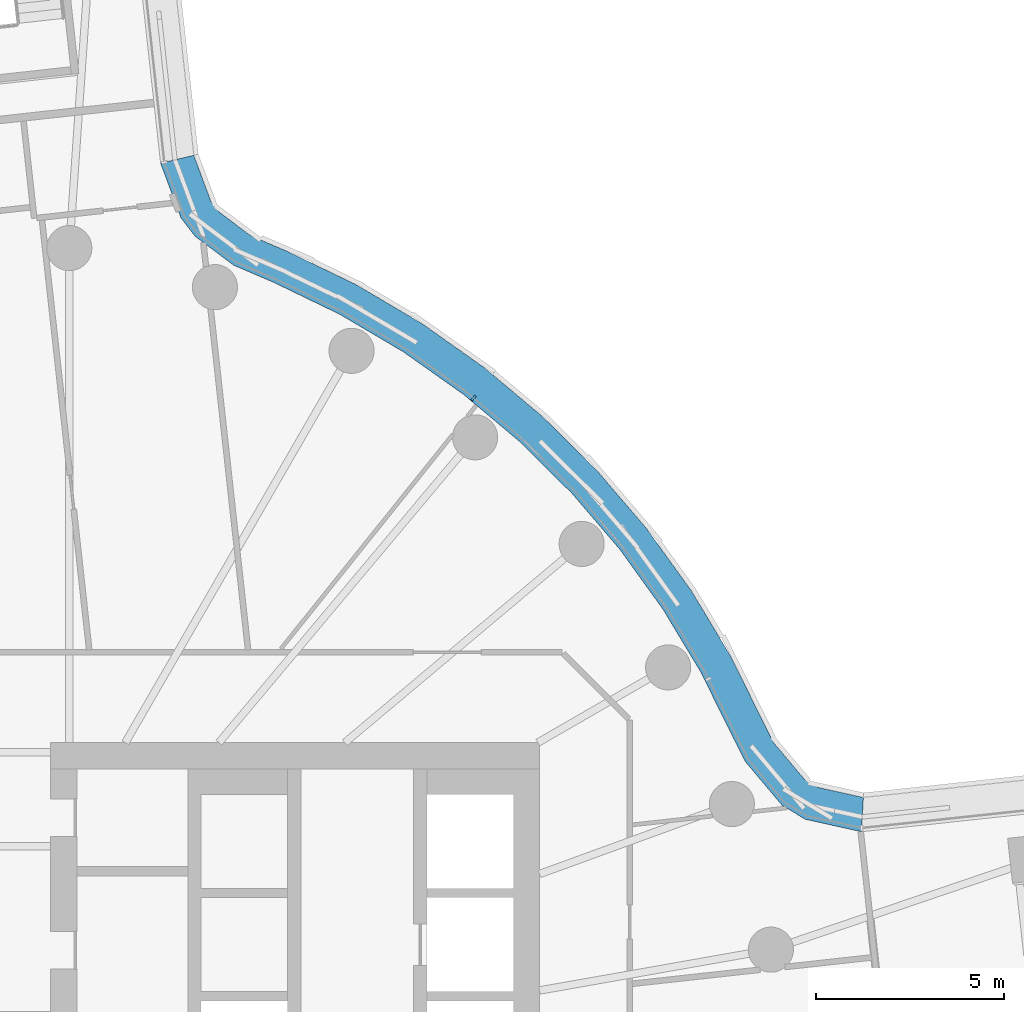
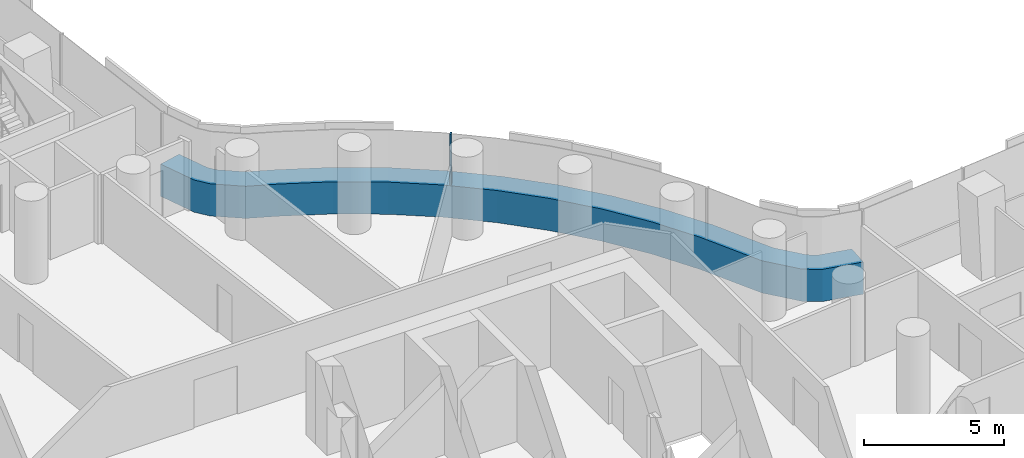
# One storey, part 16 of 31: 2 members, 1 element without a shape of its own.
"""IFC4 building model written with IfcOpenShell, lengths in metres."""

from ifc_helpers import new_model, si_unit, direction, frame, origin, origin_2d, place, context, subcontext, project, spatial, polyline, rectangle, outline, extrude, material, layer, layer_set, material_profile, profile_set, type_object, element, aggregate, save


model = new_model("IFC4")

# Units and contexts
model_context = context("Model", 3, precision=1e-05, world=origin(), true_north=direction((0.0, 1.0)))
body_context = subcontext(model_context, "Body", "Model", "MODEL_VIEW")
ifc_project = project(units=[si_unit("LENGTHUNIT", "METRE"), si_unit("AREAUNIT", "SQUARE_METRE"), si_unit("VOLUMEUNIT", "CUBIC_METRE"), si_unit("PLANEANGLEUNIT", "RADIAN"), si_unit("MASSUNIT", "GRAM", prefix="KILO")], contexts=[model_context])

# Site, building, storey
site_placement = place(None, origin())
site = spatial("IfcSite", under=ifc_project, at=site_placement, CompositionType="ELEMENT")
building_placement = place(site_placement, origin())
building = spatial("IfcBuilding", under=site, at=building_placement, Name="Tamarind Cross Interchange Tower", CompositionType="ELEMENT")
storey_placement = place(building_placement, frame((0.0, 0.0, 56.5)))
storey = spatial("IfcBuildingStorey", under=building, at=storey_placement, Name="L12", CompositionType="ELEMENT", Elevation=56.5)

# Curtain wall, members
ifc_material_1 = material(Name="Aluminium 6063-T6", Category="aluminium")
ifc_layer = layer(ifc_material_1, 0.159912109375)
ifc_layer_set = layer_set([ifc_layer], Name="Aluminium 6063-T6")
curtain_wall_type = type_object("IfcCurtainWallType", Name="Office curtain wall, 9.0 m bays", PredefinedType="NOTDEFINED", material=ifc_layer_set)
curtain_wall_placement = place(storey_placement, origin())
curtain_wall = element("IfcCurtainWall", 1, at=curtain_wall_placement, inside=storey, type_object=curtain_wall_type, Name="CWS-L12-02", PredefinedType="NOTDEFINED")
ifc_material_2 = material(Name="Aluminium and insulated spandrel panel", Category="aluminium")
member_type_1 = type_object("IfcMemberType", Name="Floor-edge blade transom", PredefinedType="USERDEFINED", material=ifc_material_2)
member_1_placement = place(storey_placement, origin())
member_1 = element("IfcMember", 2, at=member_1_placement, type_object=member_type_1, Name="CWT-L12-02", ObjectType="TRANSOM", PredefinedType="USERDEFINED", context=body_context, shape_type="SweptSolid", body=[
    extrude(outline(polyline([(25.061279296875, 7.129638671875), (23.565185546875, 7.46044921875), (22.94580078125, 7.835693359375), (21.968994140625, 8.99755859375), (21.664794921875, 9.599365234375), (20.791015625, 11.367431640625), (19.78125, 13.045654296875), (18.636474609375, 14.634521484375), (17.3642578125, 16.12353515625), (15.973388671875, 17.50244140625), (14.4736328125, 18.76171875), (12.874755859375, 19.892822265625), (11.188232421875, 20.88818359375), (9.419921875, 21.7431640625), (8.36083984375, 22.19677734375), (7.3369140625, 22.966064453125), (6.96337890625, 23.453125), (6.420654296875, 24.9091796875), (7.30322265625, 25.11865234375), (7.759765625, 23.893798828125), (7.976318359375, 23.611572265625), (8.81494140625, 22.9814453125), (9.793212890625, 22.562255859375), (11.613525390625, 21.68212890625), (13.3642578125, 20.64892578125), (15.023681640625, 19.474853515625), (16.580810546875, 18.167724609375), (18.0244140625, 16.736572265625), (19.344970703125, 15.19091796875), (20.533203125, 13.54150390625), (21.581298828125, 11.799560546875), (22.469970703125, 10.001708984375), (22.72509765625, 9.496826171875), (23.539306640625, 8.528564453125), (23.904541015625, 8.30712890625), (25.111572265625, 8.040283203125), (25.061279296875, 7.129638671875)])), origin(), (0.0, 0.0, 1.0), 1.39990234375),
])
ifc_material_profile = material_profile(ifc_material_1, rectangle(XDim=0.06005859375, YDim=0.159912109375, at=origin_2d()), Name="Mullion CW1")
ifc_profile_set = profile_set([ifc_material_profile], Name="Aluminium 6063-T6")
member_type_2 = type_object("IfcMemberType", Name="Mullion CW1", PredefinedType="MULLION", material=ifc_profile_set)
member_2_placement = place(storey_placement, frame((14.745849609375, 18.66357421875, 1.39990234375), z_axis=(0.0, 0.0, 1.0), x_axis=(-0.765858396687, 0.643009266048, 0.0)))
member_2 = element("IfcMember", 3, at=member_2_placement, type_object=member_type_2, Name="CWM-L12-02-02", PredefinedType="MULLION", context=body_context, shape_type="SweptSolid", body=[
    extrude(rectangle(XDim=0.06005859375, YDim=0.159912109375, at=origin_2d()), origin(), (0.0, 0.0, 1.0), 2.210205078125),
])
aggregate(curtain_wall, [member_2, member_1])

save(model, "model.ifc")
